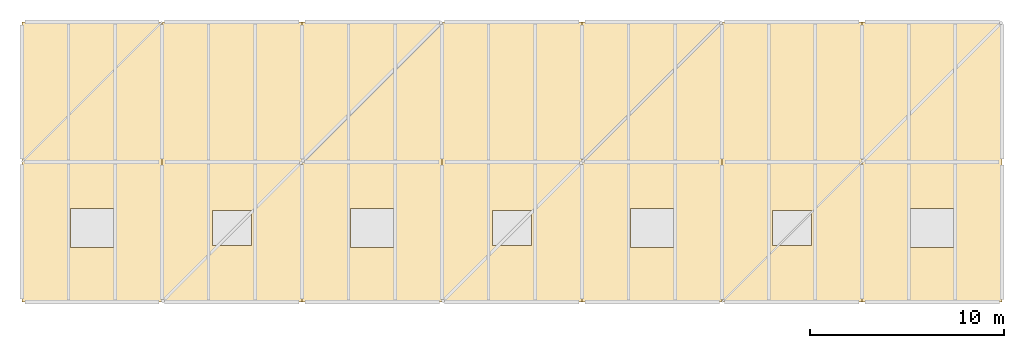
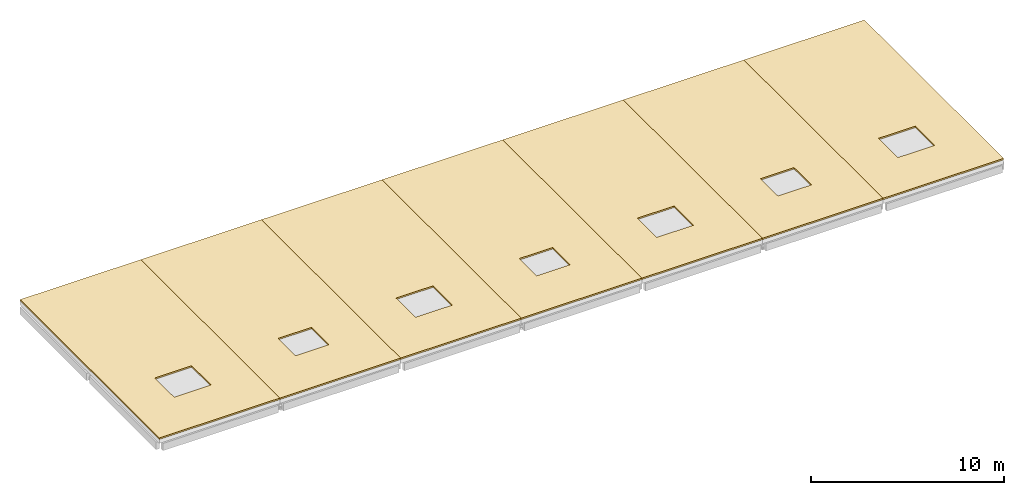
# One storey, part 2 of 2: 7 coverings.
"""IFC4 building model written with IfcOpenShell, lengths in metres."""

from ifc_helpers import new_model, si_unit, direction, frame, origin, place, context, subcontext, project, spatial, polyline, outline, extrude, material, layer, layer_set, type_object, element, save


model = new_model("IFC4")

# Units and contexts
model_context = context("Model", 3, precision=1e-05, world=origin(), true_north=direction((0.0, 1.0)))
body_context = subcontext(model_context, "Body", "Model", "MODEL_VIEW")
ifc_project = project(units=[si_unit("LENGTHUNIT", "METRE"), si_unit("AREAUNIT", "SQUARE_METRE"), si_unit("VOLUMEUNIT", "CUBIC_METRE"), si_unit("PLANEANGLEUNIT", "RADIAN"), si_unit("MASSUNIT", "GRAM", prefix="KILO")], contexts=[model_context])

# Site, building, storey
site_placement = place(None, origin())
site = spatial("IfcSite", under=ifc_project, at=site_placement, CompositionType="ELEMENT")
building_placement = place(site_placement, origin())
building = spatial("IfcBuilding", under=site, at=building_placement, Name="Hawrajan Terrace Health Centre", CompositionType="ELEMENT")
storey_placement = place(building_placement, frame((0.0, 0.0, 21.60009765625)))
storey = spatial("IfcBuildingStorey", under=building, at=storey_placement, Name="RF", CompositionType="ELEMENT", Elevation=21.60009765625)

# Coverings
ifc_material = material(Name="Reflective TPO cool-roof membrane and mineral wool")
ifc_layer = layer(ifc_material, 0.094970703125)
ifc_layer_set = layer_set([ifc_layer], Name="Reflective TPO cool-roof membrane and mineral wool")
covering_type = type_object("IfcCoveringType", Name="CoolMembrane_Roofing", PredefinedType="ROOFING", material=ifc_layer_set)
covering_1_placement = place(storey_placement, origin())
element("IfcCovering", 1, at=covering_1_placement, inside=storey, type_object=covering_type, Name="Reflective cool-roof membrane RF-V2-TOP-01", PredefinedType="ROOFING", context=body_context, shape_type="SweptSolid", body=[
    extrude(outline(polyline([(4.60009765625, 45.39990234375), (11.800048828125, 45.39990234375), (11.800048828125, 59.800048828125), (4.60009765625, 59.800048828125), (4.60009765625, 45.39990234375)]), holes=[polyline([(7.10009765625, 48.199951171875), (9.300048828125, 48.199951171875), (9.300048828125, 50.199951171875), (7.10009765625, 50.199951171875), (7.10009765625, 48.199951171875)])]), origin(), (0.0, 0.0, 1.0), 0.094970703125),
])
covering_2_placement = place(storey_placement, origin())
element("IfcCovering", 2, at=covering_2_placement, inside=storey, type_object=covering_type, Name="Reflective cool-roof membrane RF-V2-TOP-02", PredefinedType="ROOFING", context=body_context, shape_type="SweptSolid", body=[
    extrude(outline(polyline([(11.800048828125, 45.39990234375), (19.0, 45.39990234375), (19.0, 59.800048828125), (11.800048828125, 59.800048828125), (11.800048828125, 45.39990234375)]), holes=[polyline([(14.39990234375, 48.300048828125), (16.39990234375, 48.300048828125), (16.39990234375, 50.10009765625), (14.39990234375, 50.10009765625), (14.39990234375, 48.300048828125)])]), origin(), (0.0, 0.0, 1.0), 0.094970703125),
])
covering_3_placement = place(storey_placement, origin())
element("IfcCovering", 3, at=covering_3_placement, inside=storey, type_object=covering_type, Name="Reflective cool-roof membrane RF-V2-TOP-03", PredefinedType="ROOFING", context=body_context, shape_type="SweptSolid", body=[
    extrude(outline(polyline([(19.0, 45.39990234375), (26.199951171875, 45.39990234375), (26.199951171875, 59.800048828125), (19.0, 59.800048828125), (19.0, 45.39990234375)]), holes=[polyline([(21.5, 48.199951171875), (23.699951171875, 48.199951171875), (23.699951171875, 50.199951171875), (21.5, 50.199951171875), (21.5, 48.199951171875)])]), origin(), (0.0, 0.0, 1.0), 0.094970703125),
])
covering_4_placement = place(storey_placement, origin())
element("IfcCovering", 4, at=covering_4_placement, inside=storey, type_object=covering_type, Name="Reflective cool-roof membrane RF-V2-TOP-04", PredefinedType="ROOFING", context=body_context, shape_type="SweptSolid", body=[
    extrude(outline(polyline([(26.199951171875, 45.39990234375), (33.39990234375, 45.39990234375), (33.39990234375, 59.800048828125), (26.199951171875, 59.800048828125), (26.199951171875, 45.39990234375)]), holes=[polyline([(28.800048828125, 48.300048828125), (30.800048828125, 48.300048828125), (30.800048828125, 50.10009765625), (28.800048828125, 50.10009765625), (28.800048828125, 48.300048828125)])]), origin(), (0.0, 0.0, 1.0), 0.094970703125),
])
covering_5_placement = place(storey_placement, origin())
element("IfcCovering", 5, at=covering_5_placement, inside=storey, type_object=covering_type, Name="Reflective cool-roof membrane RF-V2-TOP-05", PredefinedType="ROOFING", context=body_context, shape_type="SweptSolid", body=[
    extrude(outline(polyline([(33.39990234375, 45.39990234375), (40.60009765625, 45.39990234375), (40.60009765625, 59.800048828125), (33.39990234375, 59.800048828125), (33.39990234375, 45.39990234375)]), holes=[polyline([(35.89990234375, 48.199951171875), (38.10009765625, 48.199951171875), (38.10009765625, 50.199951171875), (35.89990234375, 50.199951171875), (35.89990234375, 48.199951171875)])]), origin(), (0.0, 0.0, 1.0), 0.094970703125),
])
covering_6_placement = place(storey_placement, origin())
element("IfcCovering", 6, at=covering_6_placement, inside=storey, type_object=covering_type, Name="Reflective cool-roof membrane RF-V2-TOP-06", PredefinedType="ROOFING", context=body_context, shape_type="SweptSolid", body=[
    extrude(outline(polyline([(40.60009765625, 45.39990234375), (47.800048828125, 45.39990234375), (47.800048828125, 59.800048828125), (40.60009765625, 59.800048828125), (40.60009765625, 45.39990234375)]), holes=[polyline([(43.199951171875, 48.300048828125), (45.199951171875, 48.300048828125), (45.199951171875, 50.10009765625), (43.199951171875, 50.10009765625), (43.199951171875, 48.300048828125)])]), origin(), (0.0, 0.0, 1.0), 0.094970703125),
])
covering_7_placement = place(storey_placement, origin())
element("IfcCovering", 7, at=covering_7_placement, inside=storey, type_object=covering_type, Name="Reflective cool-roof membrane RF-V2-TOP-07", PredefinedType="ROOFING", context=body_context, shape_type="SweptSolid", body=[
    extrude(outline(polyline([(47.800048828125, 45.39990234375), (55.0, 45.39990234375), (55.0, 59.800048828125), (47.800048828125, 59.800048828125), (47.800048828125, 45.39990234375)]), holes=[polyline([(50.300048828125, 48.199951171875), (52.5, 48.199951171875), (52.5, 50.199951171875), (50.300048828125, 50.199951171875), (50.300048828125, 48.199951171875)])]), origin(), (0.0, 0.0, 1.0), 0.094970703125),
])

save(model, "model.ifc")
